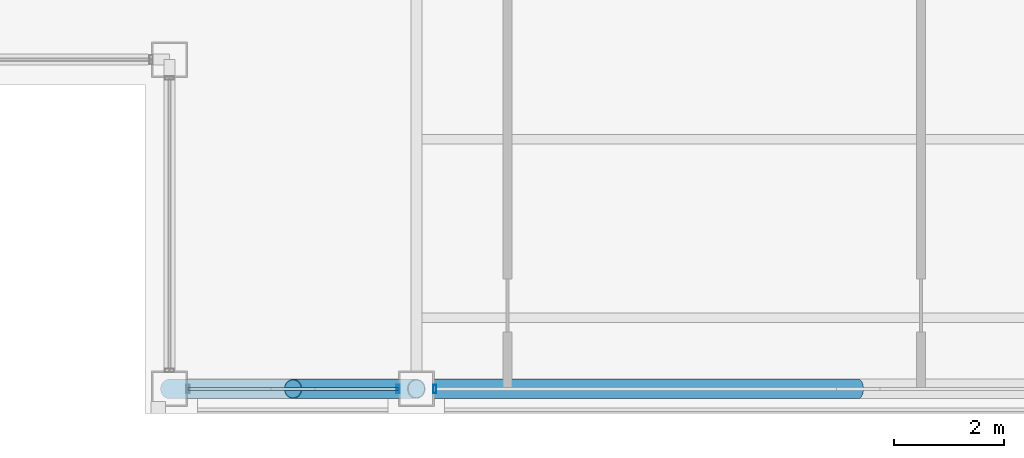
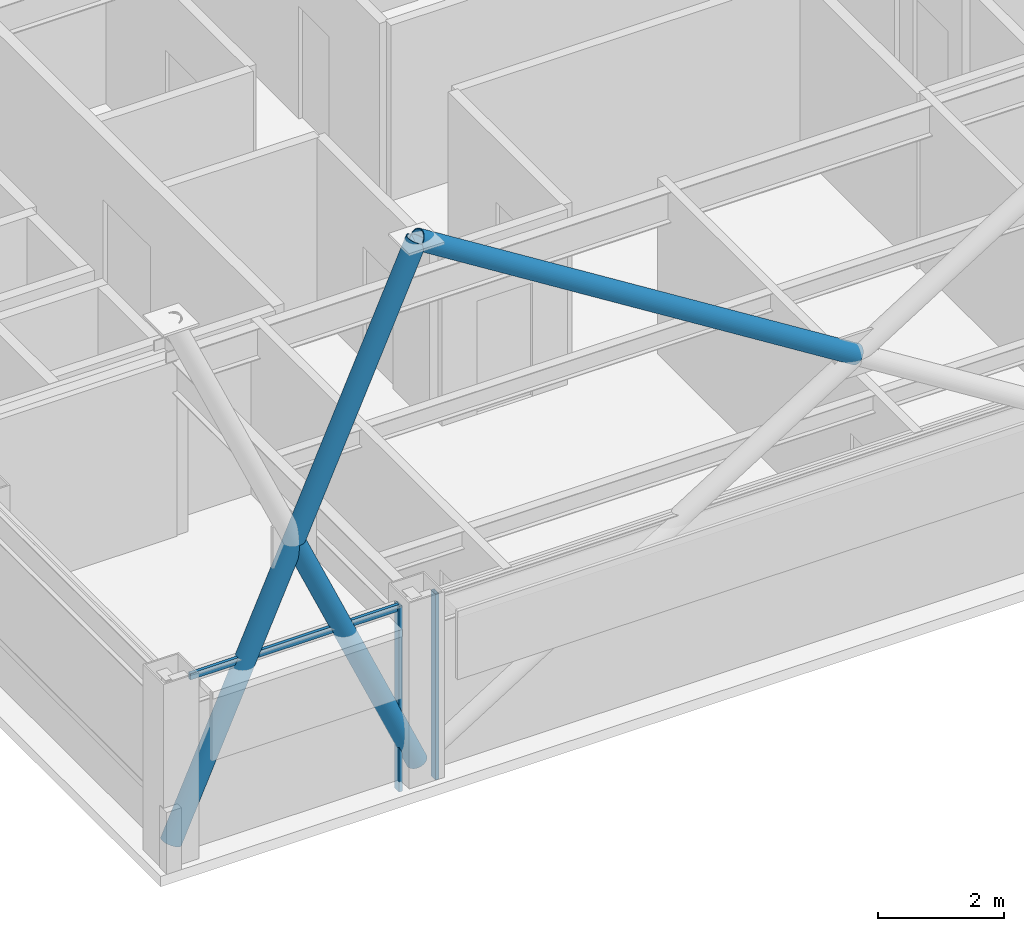
# One storey, part 5 of 30: 6 members, 2 elements without a shape of their own.
"""IFC4 building model written with IfcOpenShell, lengths in metres."""

from ifc_helpers import new_model, si_unit, direction, frame, origin, origin_2d, place, context, subcontext, project, spatial, hollow_rectangle, hollow_circle, extrude, material, layer, layer_set, material_profile, profile_set, type_object, element, aggregate, save


model = new_model("IFC4")

# Units and contexts
model_context = context("Model", 3, precision=1e-05, world=origin(), true_north=direction((0.0, 1.0)))
body_context = subcontext(model_context, "Body", "Model", "MODEL_VIEW")
ifc_project = project(units=[si_unit("LENGTHUNIT", "METRE"), si_unit("AREAUNIT", "SQUARE_METRE"), si_unit("VOLUMEUNIT", "CUBIC_METRE"), si_unit("PLANEANGLEUNIT", "RADIAN"), si_unit("MASSUNIT", "GRAM", prefix="KILO")], contexts=[model_context])

# Site, building, storey
site_placement = place(None, origin())
site = spatial("IfcSite", under=ifc_project, at=site_placement, CompositionType="ELEMENT")
building_placement = place(site_placement, origin())
building = spatial("IfcBuilding", under=site, at=building_placement, Name="Brelmoor Portico Tower", CompositionType="ELEMENT")
storey_placement = place(building_placement, frame((0.0, 0.0, 236.39990234375)))
storey = spatial("IfcBuildingStorey", under=building, at=storey_placement, Name="L62", CompositionType="ELEMENT", Elevation=236.39990234375)

# Members
ifc_material_1 = material(Name="Steel Q355B", Category="steel")
ifc_material_profile_1 = material_profile(ifc_material_1, hollow_circle(Radius=0.177978515625, WallThickness=0.01611328125, at=origin_2d()), Name="CHS 356x16")
ifc_profile_set_1 = profile_set([ifc_material_profile_1], Name="Steel Q355B")
member_type_1 = type_object("IfcMemberType", Name="MB-BELT-DIAG2", PredefinedType="BRACE", material=ifc_profile_set_1)
member_1_placement = place(storey_placement, frame((-12.550048828125, -17.550048828125, 0.25), z_axis=(0.406974140277, 0.0, 0.913439680081), x_axis=(0.0, 1.0, 0.0)))
element("IfcMember", 1, at=member_1_placement, inside=storey, type_object=member_type_1, Name="L62 Continuous Mega-X Brace 139A", PredefinedType="BRACE", context=body_context, shape_type="SweptSolid", body=[
    extrude(hollow_circle(Radius=0.177978515625, WallThickness=0.01611328125, at=origin_2d()), origin(), (0.0, 0.0, 1.0), 11.05712890625),
])
member_2_placement = place(storey_placement, frame((-8.050048828125, -17.550048828125, 0.25), z_axis=(-0.406974140277, 0.0, 0.913439680081), x_axis=(0.0, -1.0, 0.0)))
element("IfcMember", 2, at=member_2_placement, inside=storey, type_object=member_type_1, Name="L62 Split Mega-X Brace 139B1", PredefinedType="BRACE", context=body_context, shape_type="SweptSolid", body=[
    extrude(hollow_circle(Radius=0.177978515625, WallThickness=0.01611328125, at=origin_2d()), origin(), (0.0, 0.0, 1.0), 5.528564453125),
])
member_3_placement = place(storey_placement, frame((0.0, -17.550048828125, 5.300048828125), z_axis=(-0.847109476093, 0.0, 0.531418418493), x_axis=(0.0, -1.0, 0.0)))
element("IfcMember", 3, at=member_3_placement, inside=storey, type_object=member_type_1, Name="L62 Split Mega-X Brace 140B2", PredefinedType="BRACE", context=body_context, shape_type="SweptSolid", body=[
    extrude(hollow_circle(Radius=0.177978515625, WallThickness=0.01611328125, at=origin_2d()), origin(), (0.0, 0.0, 1.0), 9.5029296875),
])

# Curtain wall, member
ifc_material_2 = material(Name="Anodised Aluminium Alloy 6063-T6", Category="aluminium")
ifc_layer = layer(ifc_material_2, 0.179931640625)
ifc_layer_set = layer_set([ifc_layer], Name="Anodised Aluminium Alloy 6063-T6")
curtain_wall_type = type_object("IfcCurtainWallType", Name="CW-TOWER-Z4-XB", PredefinedType="NOTDEFINED", material=ifc_layer_set)
curtain_wall_1_placement = place(storey_placement, origin())
curtain_wall_1 = element("IfcCurtainWall", 4, at=curtain_wall_1_placement, inside=storey, type_object=curtain_wall_type, Name="L62 Curtain Wall CW-L62-01-1", PredefinedType="NOTDEFINED")
ifc_material_profile_2 = material_profile(ifc_material_2, hollow_rectangle(XDim=0.06005859375, YDim=0.14990234375, WallThickness=0.00390625, at=origin_2d()), Name="ALU MULLION 60x150")
ifc_profile_set_2 = profile_set([ifc_material_profile_2], Name="Anodised Aluminium Alloy 6063-T6")
member_type_2 = type_object("IfcMemberType", Name="MB-CW-MULL-150", PredefinedType="MULLION", material=ifc_profile_set_2)
member_4_placement = place(storey_placement, frame((-8.385009765625, -17.550048828125, -0.199951171875), z_axis=(0.0, 0.0, 1.0), x_axis=(1.0, 0.0, 0.0)))
member_4 = element("IfcMember", 5, at=member_4_placement, type_object=member_type_2, Name="CW-L62-01-1 Mullion 01", PredefinedType="MULLION", context=body_context, shape_type="SweptSolid", body=[
    extrude(hollow_rectangle(XDim=0.06005859375, YDim=0.14990234375, WallThickness=0.00390625, at=origin_2d()), origin(), (0.0, 0.0, 1.0), 3.60009765625),
])

curtain_wall_2_placement = place(storey_placement, origin())
curtain_wall_2 = element("IfcCurtainWall", 6, at=curtain_wall_2_placement, inside=storey, type_object=curtain_wall_type, Name="L62 Curtain Wall CW-L62-01-2", PredefinedType="NOTDEFINED")
member_5_placement = place(storey_placement, frame((-7.715087890625, -17.550048828125, -0.199951171875), z_axis=(0.0, 0.0, 1.0), x_axis=(1.0, 0.0, 0.0)))
member_5 = element("IfcMember", 7, at=member_5_placement, type_object=member_type_2, Name="CW-L62-01-2 Mullion 00", PredefinedType="MULLION", context=body_context, shape_type="SweptSolid", body=[
    extrude(hollow_rectangle(XDim=0.06005859375, YDim=0.14990234375, WallThickness=0.00390625, at=origin_2d()), origin(), (0.0, 0.0, 1.0), 3.60009765625),
])
aggregate(curtain_wall_2, [member_5])

# Member
ifc_material_profile_3 = material_profile(ifc_material_2, hollow_rectangle(XDim=0.06005859375, YDim=0.125, WallThickness=0.00341796875, at=origin_2d()), Name="ALU TRANSOM 60x125")
ifc_profile_set_3 = profile_set([ifc_material_profile_3], Name="Anodised Aluminium Alloy 6063-T6")
member_type_3 = type_object("IfcMemberType", Name="MB-CW-TRAN-125", PredefinedType="USERDEFINED", material=ifc_profile_set_3)
member_6_placement = place(storey_placement, frame((-12.215087890625, -17.550048828125, 3.337646484375), z_axis=(1.0, 0.0, 0.0), x_axis=(0.0, 1.0, 0.0)))
member_6 = element("IfcMember", 8, at=member_6_placement, type_object=member_type_3, Name="CW-L62-01-1 Transom 1-00", ObjectType="TRANSOM", PredefinedType="USERDEFINED", context=body_context, shape_type="SweptSolid", body=[
    extrude(hollow_rectangle(XDim=0.06005859375, YDim=0.125, WallThickness=0.00341796875, at=origin_2d()), origin(), (0.0, 0.0, 1.0), 3.830078125),
])

aggregate(curtain_wall_1, [member_4, member_6])

save(model, "model.ifc")
